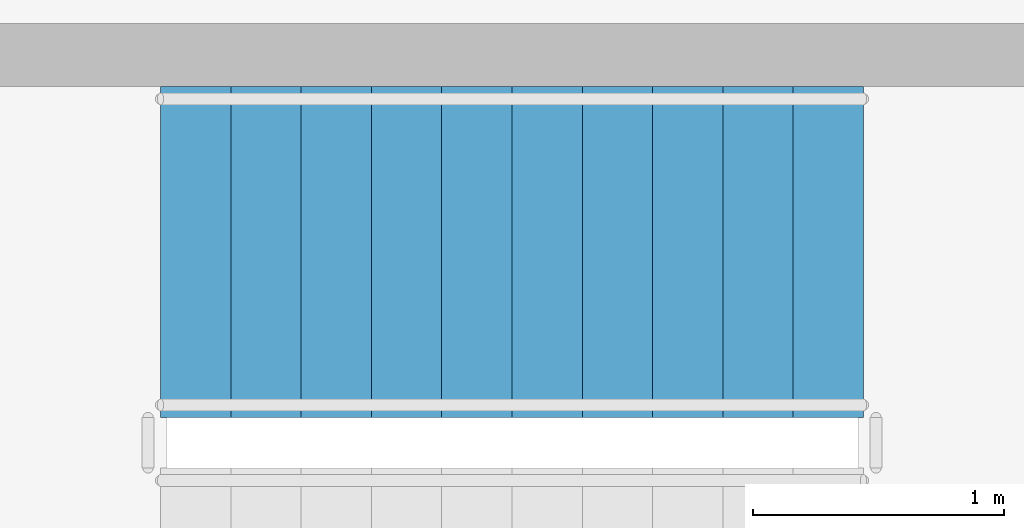
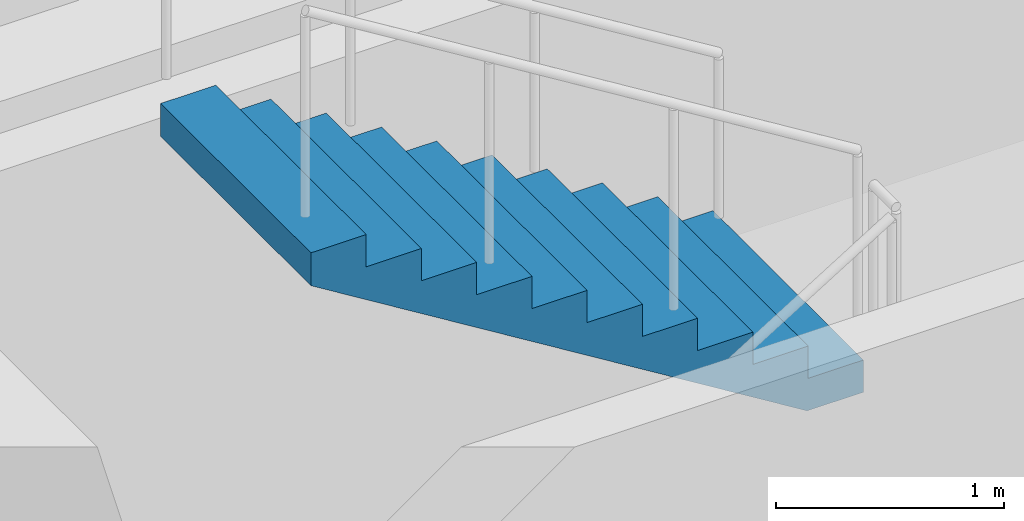
# One storey, part 12 of 14: 1 stair flight, 1 element without a shape of its own.
"""IFC4 building model written with IfcOpenShell, lengths in metres."""

from ifc_helpers import new_model, si_unit, direction, frame, origin, place, context, subcontext, project, spatial, polyline, outline, extrude, material, type_object, element, aggregate, save


model = new_model("IFC4")

# Units and contexts
model_context = context("Model", 3, precision=1e-05, world=origin(), true_north=direction((0.0, 1.0)))
body_context = subcontext(model_context, "Body", "Model", "MODEL_VIEW")
ifc_project = project(units=[si_unit("LENGTHUNIT", "METRE"), si_unit("AREAUNIT", "SQUARE_METRE"), si_unit("VOLUMEUNIT", "CUBIC_METRE"), si_unit("PLANEANGLEUNIT", "RADIAN"), si_unit("MASSUNIT", "GRAM", prefix="KILO")], contexts=[model_context])

# Site, building, storey
site_placement = place(None, origin())
site = spatial("IfcSite", under=ifc_project, at=site_placement, CompositionType="ELEMENT")
building_placement = place(site_placement, origin())
building = spatial("IfcBuilding", under=site, at=building_placement, Name="Solnavia Interchange Tower", CompositionType="ELEMENT")
storey_placement = place(building_placement, frame((0.0, 0.0, 135.199951171875)))
storey = spatial("IfcBuildingStorey", under=building, at=storey_placement, Name="L33", CompositionType="ELEMENT", Elevation=135.199951171875)

# Stair, stair flight
ifc_material = material(Name="Concrete C40/50", Category="concrete")
stair_type = type_object("IfcStairType", Name="Stair-Dogleg-RC", PredefinedType="HALF_TURN_STAIR", material=ifc_material)
stair_placement = place(storey_placement, origin())
stair = element("IfcStair", 1, at=stair_placement, inside=storey, type_object=stair_type, Name="L33 Core exit stair 3", PredefinedType="HALF_TURN_STAIR")
stair_flight_type = type_object("IfcStairFlightType", Name="StairFlight-RC-150", PredefinedType="STRAIGHT", material=ifc_material)
stair_flight_placement = place(storey_placement, frame((18.949951171875, 23.830078125, 1.900146484375), z_axis=(0.0, 0.0, 1.0), x_axis=(-1.0, 0.0, 0.0)))
stair_flight = element("IfcStairFlight", 2, at=stair_flight_placement, type_object=stair_flight_type, Name="ST-3 flight 2", NumberOfRisers=11, NumberOfTreads=10, PredefinedType="STRAIGHT", RiserHeight=0.172727273, TreadLength=0.28, context=body_context, shape_type="SweptSolid", body=[
    extrude(outline(polyline([(0.0, 0.0), (0.0, 0.172607421875), (0.280029296875, 0.172607421875), (0.280029296875, 0.345458984375), (0.56005859375, 0.345458984375), (0.56005859375, 0.51806640625), (0.840087890625, 0.51806640625), (0.840087890625, 0.69091796875), (1.1201171875, 0.69091796875), (1.1201171875, 0.863525390625), (1.39990234375, 0.863525390625), (1.39990234375, 1.036376953125), (1.679931640625, 1.036376953125), (1.679931640625, 1.208984375), (1.9599609375, 1.208984375), (1.9599609375, 1.3818359375), (2.239990234375, 1.3818359375), (2.239990234375, 1.554443359375), (2.52001953125, 1.554443359375), (2.52001953125, 1.727294921875), (2.800048828125, 1.727294921875), (2.800048828125, 1.89990234375), (2.800048828125, 1.551025390625), (0.285400390625, 0.0), (0.0, 0.0)])), frame((0.0, 0.66015625, 0.0), z_axis=(0.0, -1.0, 0.0), x_axis=(1.0, 0.0, 0.0)), (0.0, 0.0, 1.0), 1.320068359375),
])
aggregate(stair, [stair_flight])

save(model, "model.ifc")
